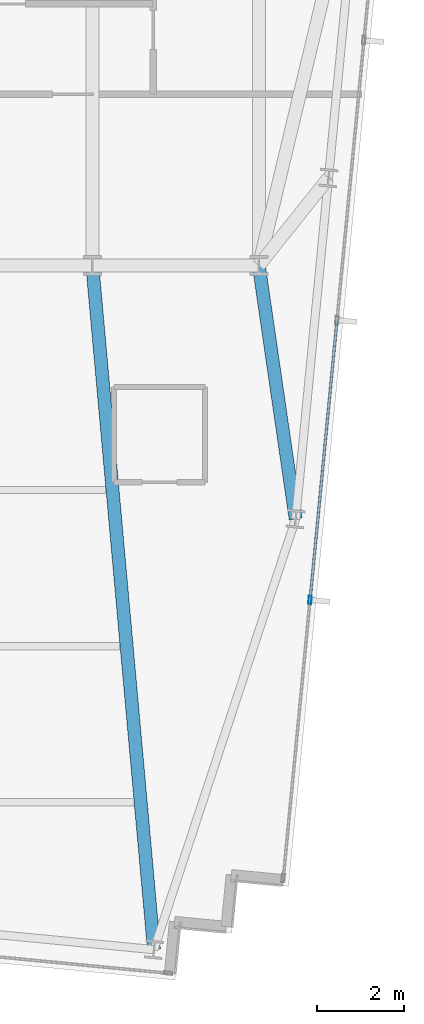
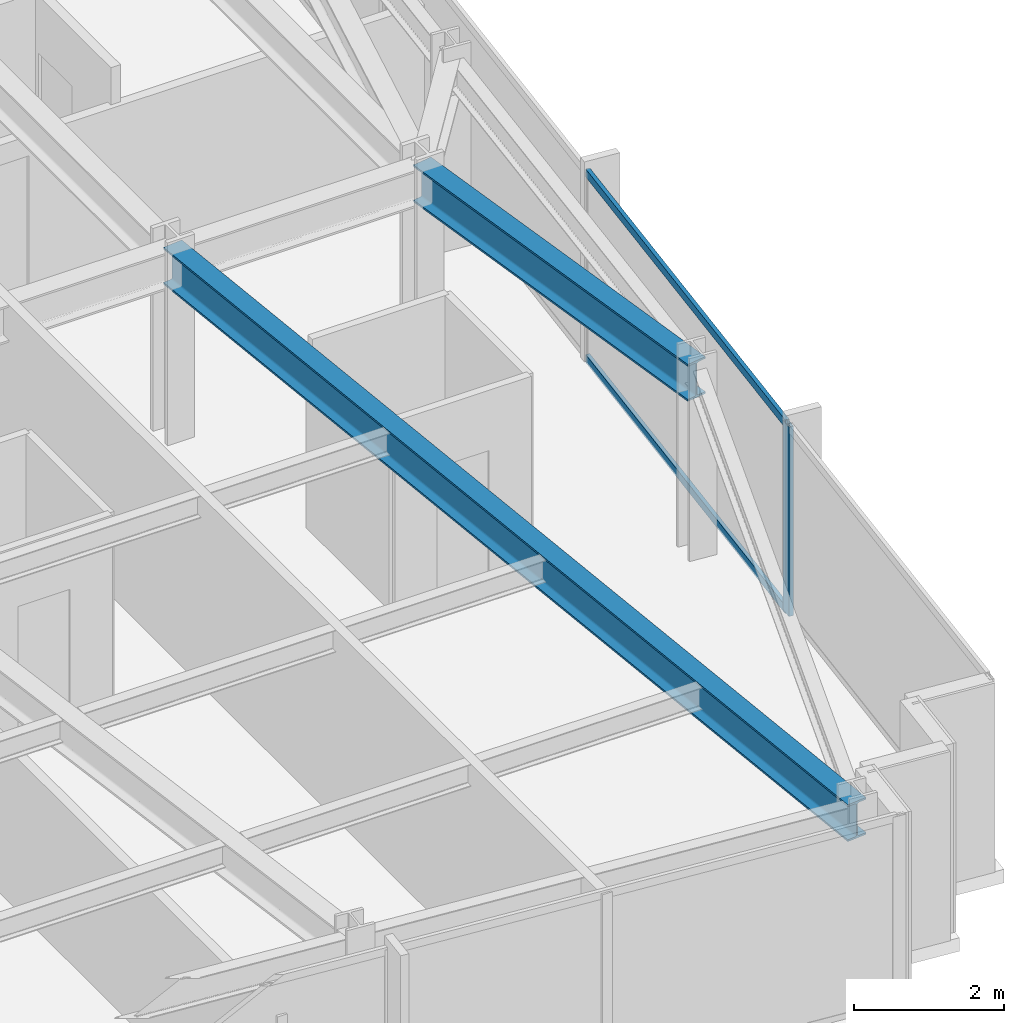
# One storey, part 15 of 37: 3 members, 2 beams, 1 element without a shape of its own.
"""IFC4 building model written with IfcOpenShell, lengths in metres."""

from ifc_helpers import new_model, si_unit, direction, frame, origin, origin_2d, place, context, subcontext, project, spatial, hollow_rectangle, i_section, extrude, material, material_profile, profile_set, type_object, element, aggregate, save


model = new_model("IFC4")

# Units and contexts
model_context = context("Model", 3, precision=1e-05, world=origin(), true_north=direction((0.0, 1.0)))
body_context = subcontext(model_context, "Body", "Model", "MODEL_VIEW")
ifc_project = project(units=[si_unit("LENGTHUNIT", "METRE"), si_unit("AREAUNIT", "SQUARE_METRE"), si_unit("VOLUMEUNIT", "CUBIC_METRE"), si_unit("PLANEANGLEUNIT", "RADIAN"), si_unit("MASSUNIT", "GRAM", prefix="KILO")], contexts=[model_context])

# Site, building, storey
site_placement = place(None, origin())
site = spatial("IfcSite", under=ifc_project, at=site_placement, CompositionType="ELEMENT")
building_placement = place(site_placement, origin())
building = spatial("IfcBuilding", under=site, at=building_placement, Name="Yelkora Congress Tower", CompositionType="ELEMENT")
storey_placement = place(building_placement, frame((0.0, 0.0, 182.0)))
storey = spatial("IfcBuildingStorey", under=building, at=storey_placement, Name="L50", CompositionType="ELEMENT", Elevation=182.0)

# Beams
ifc_material_1 = material(Name="Steel S355J2", Category="steel")
ifc_material_profile_1 = material_profile(ifc_material_1, i_section(OverallWidth=0.300048828125, OverallDepth=0.60009765625, WebThickness=0.015380859375, FlangeThickness=0.030029296875, FilletRadius=0.027099609375, at=origin_2d()), Name="HEB 600")
ifc_profile_set_1 = profile_set([ifc_material_profile_1], Name="Steel S355J2")
beam_type = type_object("IfcBeamType", Name="BM-GIRD-HEB600", PredefinedType="BEAM", material=ifc_profile_set_1)
beam_1_placement = place(storey_placement, frame((55.18212890625, 9.421142578125, 2.780029296875), z_axis=(-0.089764575953, 0.995963011815, 0.0), x_axis=(-0.995963011815, -0.089764575953, 0.0)))
element("IfcBeam", 1, at=beam_1_placement, inside=storey, type_object=beam_type, Name="L50 Primary Frame Girder S08", PredefinedType="BEAM", context=body_context, shape_type="SweptSolid", body=[
    extrude(i_section(OverallWidth=0.300048828125, OverallDepth=0.60009765625, WebThickness=0.015380859375, FlangeThickness=0.030029296875, FilletRadius=0.027099609375, at=origin_2d()), origin(), (0.0, 0.0, 1.0), 15.8427734375),
])
beam_2_placement = place(storey_placement, frame((58.44921875, 19.353759765625, 2.780029296875), z_axis=(-0.143735281382, 0.989616172506, 0.0), x_axis=(-0.989616172506, -0.143735281382, 0.0)))
element("IfcBeam", 2, at=beam_2_placement, inside=storey, type_object=beam_type, Name="L50 Primary Frame Girder E01", PredefinedType="BEAM", context=body_context, shape_type="SweptSolid", body=[
    extrude(i_section(OverallWidth=0.300048828125, OverallDepth=0.60009765625, WebThickness=0.015380859375, FlangeThickness=0.030029296875, FilletRadius=0.027099609375, at=origin_2d()), origin(), (0.0, 0.0, 1.0), 5.907470703125),
])

# Curtain wall, members
ifc_material_2 = material(Name="Anodised aluminium and insulated glass", Category="aluminium")
curtain_wall_type = type_object("IfcCurtainWallType", Name="CW-SYS-B3", PredefinedType="NOTDEFINED", material=ifc_material_2)
curtain_wall_placement = place(storey_placement, origin())
curtain_wall = element("IfcCurtainWall", 3, at=curtain_wall_placement, inside=storey, type_object=curtain_wall_type, Name="L50 Unitised Curtain Wall 15", PredefinedType="NOTDEFINED")
ifc_material_3 = material(Name="Anodised aluminium 6063-T6", Category="aluminium")
ifc_material_profile_2 = material_profile(ifc_material_3, hollow_rectangle(XDim=0.070068359375, YDim=0.18994140625, WallThickness=0.00390625, at=origin_2d()), Name="ALU 70x190x4")
ifc_profile_set_2 = profile_set([ifc_material_profile_2], Name="Anodised aluminium 6063-T6")
member_type_1 = type_object("IfcMemberType", Name="MEM-ML-B3", PredefinedType="MULLION", material=ifc_profile_set_2)
member_1_placement = place(storey_placement, frame((58.78173828125, 17.4873046875, 0.0), z_axis=(0.0, 0.0, 1.0), x_axis=(0.995396565076, -0.095841944023, 0.0)))
member_1 = element("IfcMember", 4, at=member_1_placement, type_object=member_type_1, Name="CW-B3 mullion 5", PredefinedType="MULLION", context=body_context, shape_type="SweptSolid", body=[
    extrude(hollow_rectangle(XDim=0.070068359375, YDim=0.18994140625, WallThickness=0.00390625, at=origin_2d()), origin(), (0.0, 0.0, 1.0), 3.080078125),
])
ifc_material_profile_3 = material_profile(ifc_material_3, hollow_rectangle(XDim=0.06005859375, YDim=0.1298828125, WallThickness=0.00390625, at=origin_2d()), Name="ALU 60x130x4")
ifc_profile_set_3 = profile_set([ifc_material_profile_3], Name="Anodised aluminium 6063-T6")
member_type_2 = type_object("IfcMemberType", Name="MEM-TR-B3", PredefinedType="USERDEFINED", material=ifc_profile_set_3)
member_2_placement = place(storey_placement, frame((59.39990234375, 23.90673828125, 0.030029296875), z_axis=(-0.095843682057, -0.995396397728, 0.0), x_axis=(0.995396397728, -0.095843682057, 0.0)))
member_2 = element("IfcMember", 5, at=member_2_placement, type_object=member_type_2, Name="CW-B3 transom 4.1", ObjectType="TRANSOM", PredefinedType="USERDEFINED", context=body_context, shape_type="SweptSolid", body=[
    extrude(hollow_rectangle(XDim=0.06005859375, YDim=0.1298828125, WallThickness=0.00390625, at=origin_2d()), origin(), (0.0, 0.0, 1.0), 6.4140625),
])
member_3_placement = place(storey_placement, frame((59.39990234375, 23.90673828125, 3.050048828125), z_axis=(-0.095843682057, -0.995396397728, 0.0), x_axis=(0.995396397728, -0.095843682057, 0.0)))
member_3 = element("IfcMember", 6, at=member_3_placement, type_object=member_type_2, Name="CW-B3 transom 4.2", ObjectType="TRANSOM", PredefinedType="USERDEFINED", context=body_context, shape_type="SweptSolid", body=[
    extrude(hollow_rectangle(XDim=0.06005859375, YDim=0.1298828125, WallThickness=0.00390625, at=origin_2d()), origin(), (0.0, 0.0, 1.0), 6.4140625),
])
aggregate(curtain_wall, [member_1, member_2, member_3])

save(model, "model.ifc")
